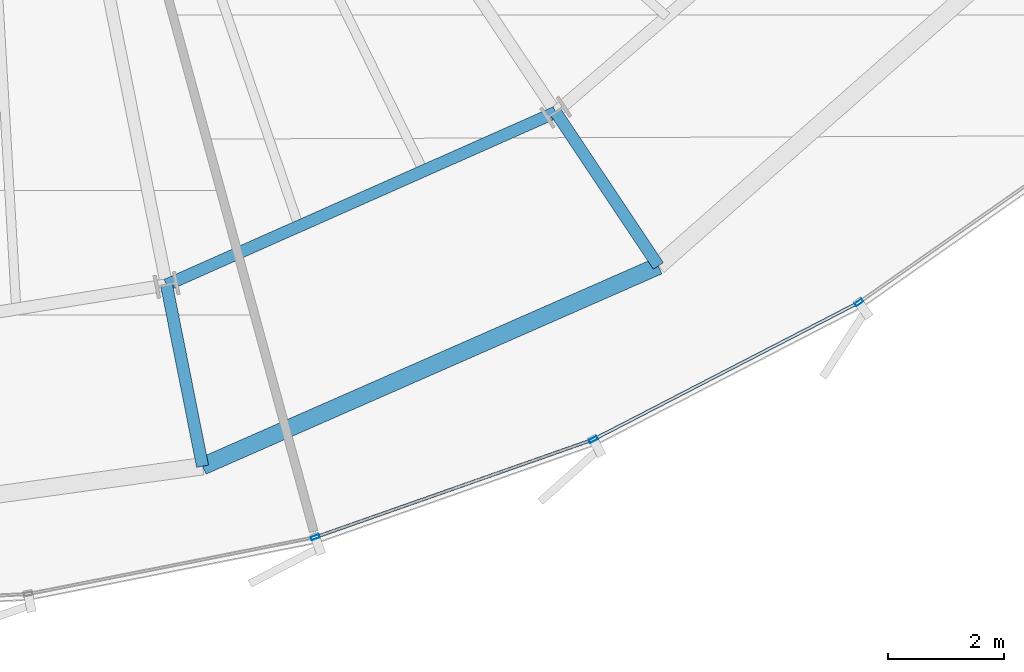
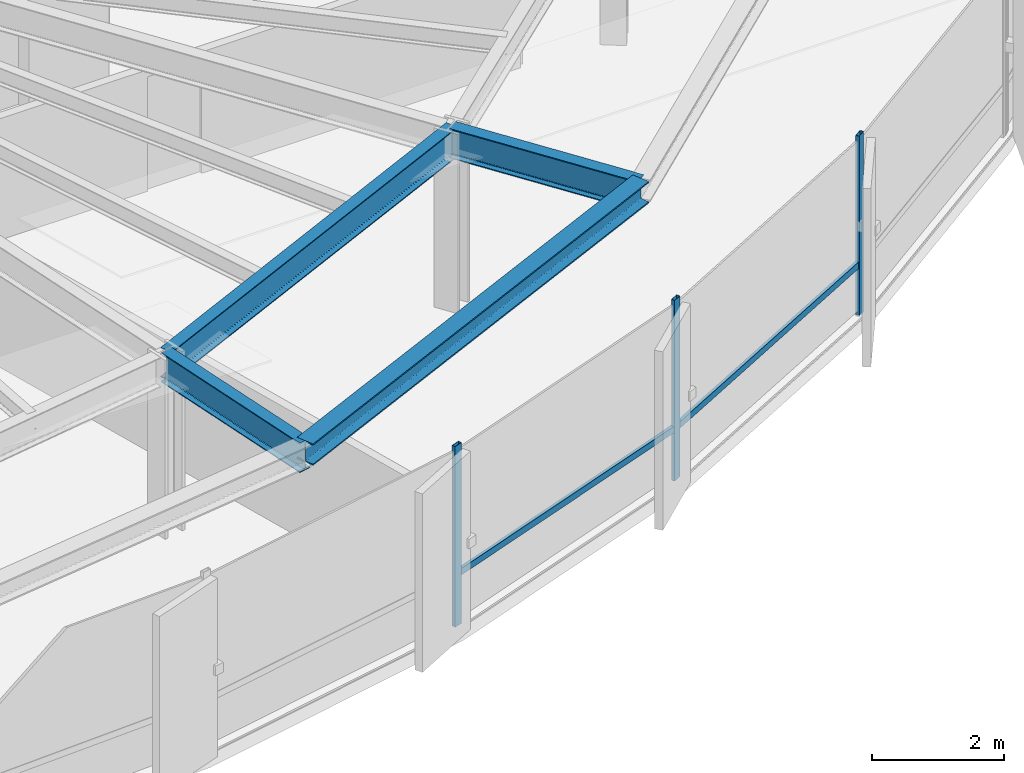
# One storey, part 11 of 35: 5 members, 4 beams, 1 element without a shape of its own.
"""IFC4 building model written with IfcOpenShell, lengths in metres."""

from ifc_helpers import new_model, si_unit, direction, frame, origin, origin_2d, place, context, subcontext, project, spatial, hollow_rectangle, i_section, extrude, source, transform, mapped, material, layer, layer_set, material_profile, profile_set, type_object, element, aggregate, save


model = new_model("IFC4")

# Units and contexts
model_context = context("Model", 3, precision=1e-05, world=origin(), true_north=direction((0.0, 1.0)))
body_context = subcontext(model_context, "Body", "Model", "MODEL_VIEW")
ifc_project = project(units=[si_unit("LENGTHUNIT", "METRE"), si_unit("AREAUNIT", "SQUARE_METRE"), si_unit("VOLUMEUNIT", "CUBIC_METRE"), si_unit("PLANEANGLEUNIT", "RADIAN"), si_unit("MASSUNIT", "GRAM", prefix="KILO"), si_unit("THERMODYNAMICTEMPERATUREUNIT", "KELVIN")], contexts=[model_context])

# Site, building, storey
site_placement = place(None, origin())
site = spatial("IfcSite", under=ifc_project, at=site_placement, CompositionType="ELEMENT")
building_placement = place(site_placement, origin())
building = spatial("IfcBuilding", under=site, at=building_placement, Name="Kethvar Cultural Tower", CompositionType="ELEMENT")
storey_placement = place(building_placement, frame((0.0, 0.0, 96.39990234375)))
storey = spatial("IfcBuildingStorey", under=building, at=storey_placement, Name="L23", CompositionType="ELEMENT", Elevation=96.39990234375)

# Beams
ifc_material_1 = material(Name="Steel S355J2", Category="steel")
ifc_material_profile_1 = material_profile(ifc_material_1, i_section(OverallWidth=0.2099609375, OverallDepth=0.550048828125, WebThickness=0.010986328125, FlangeThickness=0.01708984375, FilletRadius=0.02392578125, at=origin_2d()), Name="Steel S355J2 — IPE550")
ifc_profile_set_1 = profile_set([ifc_material_profile_1], Name="Steel S355J2 — IPE550")
beam_type_1 = type_object("IfcBeamType", Name="BM-IPE550", PredefinedType="BEAM", material=ifc_profile_set_1)
shared_shape_1 = source(origin(), body_context, "Body", "SweptSolid", [
    extrude(i_section(OverallWidth=0.2099609375, OverallDepth=0.550048828125, WebThickness=0.010986328125, FlangeThickness=0.01708984375, FilletRadius=0.02392578125, at=origin_2d()), origin(), (0.0, 0.0, 1.0), 3.199951171875),
])
beam_1_placement = place(storey_placement, frame((57.241943359375, 12.17236328125, 3.072998046875), z_axis=(0.555580212716, -0.831462943996, 0.0), x_axis=(0.831462943996, 0.555580212716, 0.0)))
element("IfcBeam", 1, at=beam_1_placement, inside=storey, type_object=beam_type_1, Name="L23 Perimeter Cantilever Beam RC-14", PredefinedType="BEAM", context=body_context, shape_type="MappedRepresentation", body=[
    mapped(shared_shape_1, transform((0.0, 0.0, 0.0), scale=1.0)),
])
shared_shape_2 = source(origin(), body_context, "Body", "SweptSolid", [
    extrude(i_section(OverallWidth=0.2099609375, OverallDepth=0.550048828125, WebThickness=0.010986328125, FlangeThickness=0.01708984375, FilletRadius=0.02392578125, at=origin_2d()), origin(), (0.0, 0.0, 1.0), 3.2001953125),
])
beam_2_placement = place(storey_placement, frame((50.50341796875, 9.182373046875, 3.072998046875), z_axis=(0.195074368086, -0.980788453702, 0.0), x_axis=(0.980788453702, 0.195074368086, 0.0)))
element("IfcBeam", 2, at=beam_2_placement, inside=storey, type_object=beam_type_1, Name="L23 Perimeter Cantilever Beam RC-13", PredefinedType="BEAM", context=body_context, shape_type="MappedRepresentation", body=[
    mapped(shared_shape_2, transform((0.0, 0.0, 0.0), scale=1.0)),
])
shared_shape_3 = source(origin(), body_context, "Body", "SweptSolid", [
    extrude(i_section(OverallWidth=0.2099609375, OverallDepth=0.550048828125, WebThickness=0.010986328125, FlangeThickness=0.01708984375, FilletRadius=0.02392578125, at=origin_2d()), origin(), (0.0, 0.0, 1.0), 7.3720703125),
])
beam_3_placement = place(storey_placement, frame((50.50341796875, 9.182373046875, 3.072998046875), z_axis=(0.914058560918, 0.405582232367, 0.0), x_axis=(-0.405582232367, 0.914058560918, 0.0)))
element("IfcBeam", 3, at=beam_3_placement, inside=storey, type_object=beam_type_1, Name="L23 Column Ring Tie Beam CR-13", PredefinedType="BEAM", context=body_context, shape_type="MappedRepresentation", body=[
    mapped(shared_shape_3, transform((0.0, 0.0, 0.0), scale=1.0)),
])
ifc_material_profile_2 = material_profile(ifc_material_1, i_section(OverallWidth=0.300048828125, OverallDepth=0.39990234375, WebThickness=0.013427734375, FlangeThickness=0.02392578125, FilletRadius=0.027099609375, at=origin_2d()), Name="Steel S355J2 — HEB400")
ifc_profile_set_2 = profile_set([ifc_material_profile_2], Name="Steel S355J2 — HEB400")
beam_type_2 = type_object("IfcBeamType", Name="BM-SP400", PredefinedType="SPANDREL", material=ifc_profile_set_2)
shared_shape_4 = source(origin(), body_context, "Body", "SweptSolid", [
    extrude(i_section(OverallWidth=0.300048828125, OverallDepth=0.39990234375, WebThickness=0.013427734375, FlangeThickness=0.02392578125, FilletRadius=0.027099609375, at=origin_2d()), origin(), (0.0, 0.0, 1.0), 8.620361328125),
])
beam_4_placement = place(storey_placement, frame((51.127685546875, 6.043701171875, 3.148193359375), z_axis=(0.915507442902, 0.402301034041, 0.0), x_axis=(-0.402301034041, 0.915507442902, 0.0)))
element("IfcBeam", 4, at=beam_4_placement, inside=storey, type_object=beam_type_2, Name="L23 Perimeter Spandrel Beam SP-13", PredefinedType="SPANDREL", context=body_context, shape_type="MappedRepresentation", body=[
    mapped(shared_shape_4, transform((0.0, 0.0, 0.0), scale=1.0)),
])

# Curtain wall, members
ifc_material_2 = material(Name="Aluminium 6063-T6", Category="aluminium")
ifc_layer = layer(ifc_material_2, 0.179931640625, Name="Aluminium 6063-T6", Category="aluminium")
ifc_layer_set = layer_set([ifc_layer], Name="Aluminium 6063-T6 (180 mm)")
curtain_wall_type = type_object("IfcCurtainWallType", Name="CW-SYS-03-Z2", PredefinedType="NOTDEFINED", material=ifc_layer_set)
curtain_wall_placement = place(storey_placement, origin())
curtain_wall = element("IfcCurtainWall", 5, at=curtain_wall_placement, inside=storey, type_object=curtain_wall_type, Name="L23 Curtain Wall Run 05", PredefinedType="NOTDEFINED")
ifc_material_profile_3 = material_profile(ifc_material_2, hollow_rectangle(XDim=0.06005859375, YDim=0.14990234375, WallThickness=0.0048828125, at=origin_2d()), Name="Aluminium 6063-T6 — RHS150x60x5")
ifc_profile_set_3 = profile_set([ifc_material_profile_3], Name="Aluminium 6063-T6 — RHS150x60x5")
member_type_1 = type_object("IfcMemberType", Name="CW-SYS-03-Z2-MUL", PredefinedType="MULLION", material=ifc_profile_set_3)
shared_shape_5 = source(origin(), body_context, "Body", "SweptSolid", [
    extrude(hollow_rectangle(XDim=0.06005859375, YDim=0.14990234375, WallThickness=0.0048828125, at=origin_2d()), origin(), (0.0, 0.0, 1.0), 3.35009765625),
])
member_1_placement = place(storey_placement, frame((53.079833984375, 4.813720703125, 0.0), z_axis=(0.0, 0.0, 1.0), x_axis=(-0.331749541753, 0.94336750079, 0.0)))
member_1 = element("IfcMember", 6, at=member_1_placement, type_object=member_type_1, Name="CW-L23-R05 Mullion 4", PredefinedType="MULLION", context=body_context, shape_type="MappedRepresentation", body=[
    mapped(shared_shape_5, transform((0.0, 0.0, 0.0), scale=1.0)),
])
member_2_placement = place(storey_placement, frame((57.89501953125, 6.506103515625, 0.0), z_axis=(0.0, 0.0, 1.0), x_axis=(-0.458928699183, 0.888473099799, 0.0)))
member_2 = element("IfcMember", 7, at=member_2_placement, type_object=member_type_1, Name="CW-L23-R05 Mullion 5", PredefinedType="MULLION", context=body_context, shape_type="MappedRepresentation", body=[
    mapped(shared_shape_5, transform((0.0, 0.0, 0.0), scale=1.0)),
])
member_3_placement = place(storey_placement, frame((62.4912109375, 8.87890625, 0.0), z_axis=(0.0, 0.0, 1.0), x_axis=(-0.574033847678, 0.818831571033, 0.0)))
member_3 = element("IfcMember", 8, at=member_3_placement, type_object=member_type_1, Name="CW-L23-R05 Mullion 6", PredefinedType="MULLION", context=body_context, shape_type="MappedRepresentation", body=[
    mapped(shared_shape_5, transform((0.0, 0.0, 0.0), scale=1.0)),
])
ifc_material_profile_4 = material_profile(ifc_material_2, hollow_rectangle(XDim=0.054931640625, YDim=0.1201171875, WallThickness=0.00390625, at=origin_2d()), Name="Aluminium 6063-T6 — RHS120x55x4")
ifc_profile_set_4 = profile_set([ifc_material_profile_4], Name="Aluminium 6063-T6 — RHS120x55x4")
member_type_2 = type_object("IfcMemberType", Name="CW-SYS-03-Z2-TRN", PredefinedType="USERDEFINED", material=ifc_profile_set_4)
shared_shape_6 = source(origin(), body_context, "Body", "SweptSolid", [
    extrude(hollow_rectangle(XDim=0.054931640625, YDim=0.1201171875, WallThickness=0.00390625, at=origin_2d()), origin(), (0.0, 0.0, 1.0), 5.033447265625),
])
member_4_placement = place(storey_placement, frame((53.12060546875, 4.828125, 0.9501953125), z_axis=(0.943360470813, 0.331769531614, 0.0), x_axis=(-0.331769531614, 0.943360470813, 0.0)))
member_4 = element("IfcMember", 9, at=member_4_placement, type_object=member_type_2, Name="CW-L23-R05 Transom 4", ObjectType="TRANSOM", PredefinedType="USERDEFINED", context=body_context, shape_type="MappedRepresentation", body=[
    mapped(shared_shape_6, transform((0.0, 0.0, 0.0), scale=1.0)),
])
shared_shape_7 = source(origin(), body_context, "Body", "SweptSolid", [
    extrude(hollow_rectangle(XDim=0.054931640625, YDim=0.1201171875, WallThickness=0.00390625, at=origin_2d()), origin(), (0.0, 0.0, 1.0), 5.10107421875),
])
member_5_placement = place(storey_placement, frame((57.93359375, 6.52587890625, 0.9501953125), z_axis=(0.888472744365, 0.458929387293, 0.0), x_axis=(-0.458929387293, 0.888472744365, 0.0)))
member_5 = element("IfcMember", 10, at=member_5_placement, type_object=member_type_2, Name="CW-L23-R05 Transom 5", ObjectType="TRANSOM", PredefinedType="USERDEFINED", context=body_context, shape_type="MappedRepresentation", body=[
    mapped(shared_shape_7, transform((0.0, 0.0, 0.0), scale=1.0)),
])
aggregate(curtain_wall, [member_1, member_2, member_3, member_4, member_5])

save(model, "model.ifc")
